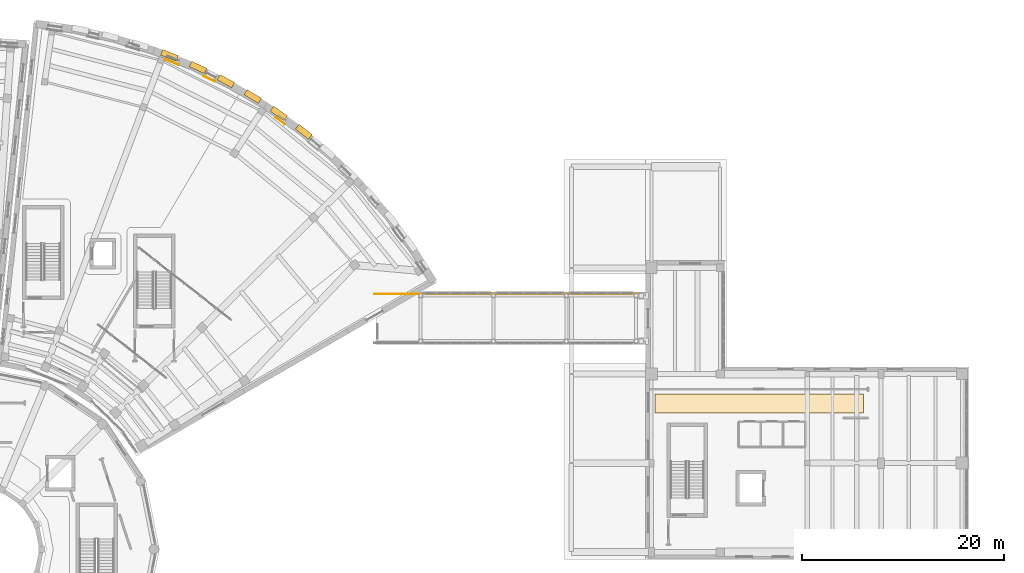
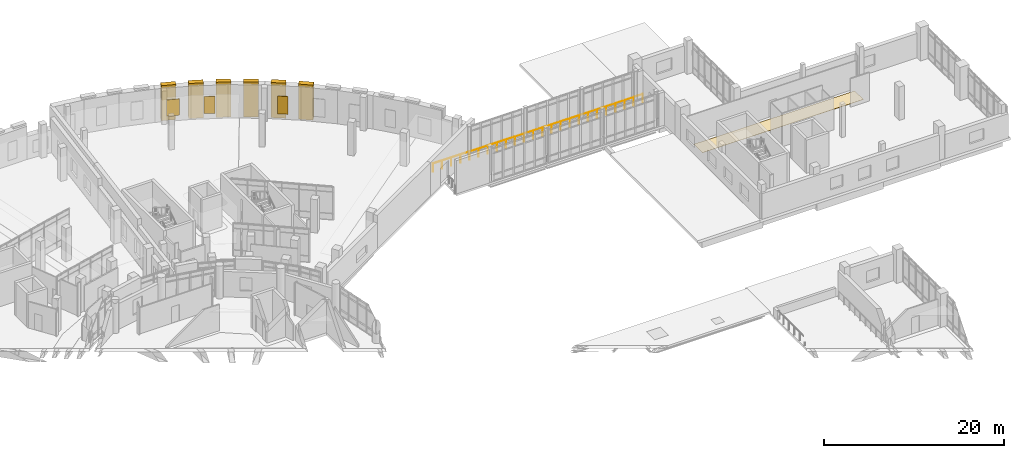
# One storey, part 73 of 75: 10 coverings, 1 railing.
"""IFC4 building model written with IfcOpenShell, lengths in metres."""

import ifcopenshell
import ifcopenshell.guid

model = None  # the IFC model being written
_history = None  # IfcOwnerHistory: only IFC2X3 demands one
_inside = {}  # id of a spatial element -> (the spatial element, [elements in it])
_under = {}  # id of a project, library or spatial element -> (it, [spatial elements below it])
_declared = {}  # id of a project -> (the project, [libraries it declares])
_typed = {}  # id of a type object -> (the type object, [elements of that type])
_made_of = {}  # id of a material, layer set ... -> (it, [elements and type objects made of it])


def new_model(schema):
    """Start an empty IFC model of exactly this schema.

    Asked for "IFC4X3", IfcOpenShell would pick the latest addendum, in which some entities
    have other attributes; the version numbers below select the first issue.
    IFC2X3 requires an IfcOwnerHistory on every rooted entity: one is made here for all.
    """
    global model, _history
    if schema == "IFC4X3":
        model = ifcopenshell.file(schema_version=(4, 3, 0, 0))
    else:
        model = ifcopenshell.file(schema=schema)
    _inside.clear()
    _under.clear()
    _declared.clear()
    _typed.clear()
    _made_of.clear()
    _history = None
    if model.schema == "IFC2X3":
        org = make("IfcOrganization", Name="unknown")
        user = make(
            "IfcPersonAndOrganization",
            ThePerson=make("IfcPerson", FamilyName="unknown"),
            TheOrganization=org,
        )
        app = make(
            "IfcApplication",
            ApplicationDeveloper=org,
            Version="unknown",
            ApplicationFullName="unknown",
            ApplicationIdentifier="unknown",
        )
        _history = make(
            "IfcOwnerHistory",
            OwningUser=user,
            OwningApplication=app,
            ChangeAction="ADDED",
            CreationDate=0,
        )
    return model


def make(cls, **values):
    """One entity of the class cls with the attributes given. An attribute that is None is left unset."""
    return model.create_entity(
        cls, **{name: value for name, value in values.items() if value is not None}
    )


def rooted(cls, **values):
    """An entity with a GlobalId (a new one), such as an element, a storey or a relation."""
    return make(cls, GlobalId=ifcopenshell.guid.new(), OwnerHistory=_history, **values)


def si_unit(unit_type, name, prefix=None):
    """IfcSIUnit, for example si_unit("LENGTHUNIT", "METRE", prefix="MILLI")."""
    return make("IfcSIUnit", UnitType=unit_type, Prefix=prefix, Name=name)


def assignment(units):
    """IfcUnitAssignment: the units of a project."""
    return None if units is None else make("IfcUnitAssignment", Units=units)


def point(xyz):
    """IfcCartesianPoint."""
    return None if xyz is None else make("IfcCartesianPoint", Coordinates=xyz)


def direction(xyz):
    """IfcDirection."""
    return None if xyz is None else make("IfcDirection", DirectionRatios=xyz)


def frame(location, z_axis=None, x_axis=None):
    """IfcAxis2Placement3D, a coordinate frame: its origin and axes. An axis left out is left unset."""
    return make(
        "IfcAxis2Placement3D",
        Location=point(location),
        Axis=direction(z_axis),
        RefDirection=direction(x_axis),
    )


def frame_2d(location, x_axis=None):
    """IfcAxis2Placement2D, a coordinate frame in the plane: its origin and x axis."""
    return make(
        "IfcAxis2Placement2D", Location=point(location), RefDirection=direction(x_axis)
    )


def origin():
    """The frame at (0, 0, 0) with its axes left unset."""
    return frame((0.0, 0.0, 0.0))


def origin_2d():
    """The frame at (0, 0) in the plane with its x axis left unset."""
    return frame_2d((0.0, 0.0))


def place(relative_to, where):
    """IfcLocalPlacement: puts the frame where relative to a parent placement (None: the world)."""
    return make(
        "IfcLocalPlacement", PlacementRelTo=relative_to, RelativePlacement=where
    )


def context(
    kind, dimensions, precision=None, world=None, true_north=None, identifier=None
):
    """IfcGeometricRepresentationContext, for example the 3D "Model" context."""
    return make(
        "IfcGeometricRepresentationContext",
        ContextIdentifier=identifier,
        ContextType=kind,
        CoordinateSpaceDimension=dimensions,
        Precision=precision,
        WorldCoordinateSystem=world,
        TrueNorth=true_north,
    )


def subcontext(parent, identifier, kind, view, scale=None):
    """IfcGeometricRepresentationSubContext, for example "Body" below "Model"."""
    return make(
        "IfcGeometricRepresentationSubContext",
        ContextIdentifier=identifier,
        ContextType=kind,
        ParentContext=parent,
        TargetScale=scale,
        TargetView=view,
    )


def project(units=None, contexts=None):
    """IfcProject with its units and contexts."""
    return rooted(
        "IfcProject",
        Name="project",
        RepresentationContexts=contexts,
        UnitsInContext=assignment(units),
    )


def spatial(cls, under=None, at=None, **own):
    """A site, building, storey or space (cls), placed at a placement, below another one or the project."""
    s = rooted(cls, ObjectPlacement=at, **own)
    if under is not None:
        _under.setdefault(under.id(), (under, []))[1].append(s)
    return s


def polyline(points):
    """IfcPolyline through the points."""
    return make("IfcPolyline", Points=[point(p) for p in points])


def profile(cls, at=None, kind="AREA", **sizes):
    """A parametric profile (cls). Its sizes go by their IFC names, for example OverallWidth=200.0."""
    return make(cls, ProfileType=kind, Position=at, **sizes)


def rectangle(**sizes):
    """IfcRectangleProfileDef."""
    return profile("IfcRectangleProfileDef", **sizes)


def circle(**sizes):
    """IfcCircleProfileDef."""
    return profile("IfcCircleProfileDef", **sizes)


def outline(outer, holes=None, kind="AREA"):
    """IfcArbitraryClosedProfileDef: a profile drawn as a closed curve; with holes, ...WithVoids."""
    if holes is None:
        return make("IfcArbitraryClosedProfileDef", ProfileType=kind, OuterCurve=outer)
    return make(
        "IfcArbitraryProfileDefWithVoids",
        ProfileType=kind,
        OuterCurve=outer,
        InnerCurves=holes,
    )


def extrude(swept, where, along, depth):
    """IfcExtrudedAreaSolid: the profile swept, set in the frame where, extruded along a direction by depth."""
    return make(
        "IfcExtrudedAreaSolid",
        SweptArea=swept,
        Position=where,
        ExtrudedDirection=direction(along),
        Depth=depth,
    )


def shape(context_of_items, identifier, shape_type, items):
    """IfcShapeRepresentation: the items that make up one representation, for example the "Body"."""
    return make(
        "IfcShapeRepresentation",
        ContextOfItems=context_of_items,
        RepresentationIdentifier=identifier,
        RepresentationType=shape_type,
        Items=items,
    )


def material(Name=None, Category=None):
    """IfcMaterial."""
    return make("IfcMaterial", Name=Name, Category=Category)


def layer(
    of_material, thickness, ventilated=None, Name=None, Category=None, Priority=None
):
    """IfcMaterialLayer: one layer of a wall or slab, of a material (None: an air gap)."""
    return make(
        "IfcMaterialLayer",
        Material=of_material,
        LayerThickness=thickness,
        IsVentilated=ventilated,
        Name=Name,
        Category=Category,
        Priority=Priority,
    )


def layer_set(layers, Name=None):
    """IfcMaterialLayerSet."""
    return make("IfcMaterialLayerSet", MaterialLayers=layers, LayerSetName=Name)


def made_of(thing, what):
    """Note that an element or type object is made of a material, layer set ...; save() writes the relation."""
    if what is not None:
        _made_of.setdefault(what.id(), (what, []))[1].append(thing)
    return thing


def type_object(cls, material=None, **own):
    """A type object (cls), such as IfcWallType, which elements share."""
    return made_of(rooted(cls, **own), material)


def element(
    cls,
    number,
    at=None,
    inside=None,
    cuts=None,
    type_object=None,
    material=None,
    context=None,
    identifier="Body",
    shape_type=None,
    held_by="IfcProductDefinitionShape",
    body=None,
    shapes=None,
    **own,
):
    """One element of the class cls, such as IfcWall. Its Tag is "e" and its number.

    at: its placement. inside: the storey or other place that contains it. cuts: it is an
    opening in that element (IfcRelVoidsElement). A single representation is given by context,
    identifier, shape_type and body (its items); several are given by shapes. held_by: the class
    of the entity that holds the representations. save() writes the other relations.
    """
    e = rooted(cls, Tag="e%d" % number, ObjectPlacement=at, **own)
    if body is not None:
        shapes = [shape(context, identifier, shape_type, body)]
    if shapes is not None:
        e.Representation = make(held_by, Representations=shapes)
    if inside is not None:
        _inside.setdefault(inside.id(), (inside, []))[1].append(e)
    if cuts is not None:
        rooted(
            "IfcRelVoidsElement", RelatingBuildingElement=cuts, RelatedOpeningElement=e
        )
    if type_object is not None:
        _typed.setdefault(type_object.id(), (type_object, []))[1].append(e)
    return made_of(e, material)


def aggregate(whole, parts):
    """IfcRelAggregates: a whole, such as a stair, and the parts it consists of."""
    return rooted("IfcRelAggregates", RelatingObject=whole, RelatedObjects=parts)


def save(model, path):
    """Write the relations noted so far, then the file.

    IfcRelAggregates (storeys below a building ...), IfcRelContainedInSpatialStructure (elements
    in a storey), IfcRelDefinesByType, IfcRelAssociatesMaterial and IfcRelDeclares: one each for
    every whole, place, type object, material and project.
    """
    for whole, parts in _under.values():
        aggregate(whole, parts)
    for where, things in _inside.values():
        rooted(
            "IfcRelContainedInSpatialStructure",
            RelatedElements=things,
            RelatingStructure=where,
        )
    for kind, things in _typed.values():
        rooted("IfcRelDefinesByType", RelatedObjects=things, RelatingType=kind)
    for what, things in _made_of.values():
        rooted("IfcRelAssociatesMaterial", RelatedObjects=things, RelatingMaterial=what)
    for by, libraries in _declared.values():
        rooted("IfcRelDeclares", RelatingContext=by, RelatedDefinitions=libraries)
    model.write(path)


model = new_model("IFC4")

# Units and contexts
model_context = context("Model", 3, precision=1e-05, world=origin(), true_north=direction((0.0, 1.0)))
body_context = subcontext(model_context, "Body", "Model", "MODEL_VIEW")
ifc_project = project(units=[si_unit("LENGTHUNIT", "METRE"), si_unit("AREAUNIT", "SQUARE_METRE"), si_unit("VOLUMEUNIT", "CUBIC_METRE"), si_unit("PLANEANGLEUNIT", "RADIAN"), si_unit("MASSUNIT", "GRAM", prefix="KILO")], contexts=[model_context])

# Site, building, storey
site_placement = place(None, origin())
site = spatial("IfcSite", under=ifc_project, at=site_placement, CompositionType="ELEMENT")
building_placement = place(site_placement, origin())
building = spatial("IfcBuilding", under=site, at=building_placement, Name="Soyqirgoq Riverine Aquarium", CompositionType="ELEMENT")
storey_placement = place(building_placement, frame((0.0, 0.0, 10.199951171875)))
storey = spatial("IfcBuildingStorey", under=building, at=storey_placement, Name="L03", CompositionType="ELEMENT", Elevation=10.199951171875)

# Coverings
ifc_material_1 = material(Name="Anodised extruded aluminium sunshade", Category="aluminium")
covering_type_1 = type_object("IfcCoveringType", Name="SolarShadingLouvre_450", PredefinedType="USERDEFINED", material=ifc_material_1)
covering_1_placement = place(storey_placement, frame((75.2021484375, 105.130615234375, 0.75), z_axis=(0.0, 0.0, 1.0), x_axis=(0.928809552872, -0.37055743751, 0.0)))
element("IfcCovering", 1, at=covering_1_placement, inside=storey, type_object=covering_type_1, Name="V5 L03 Travertine Niche Solar Shade 0088", ObjectType="SOLAR_SHADING", PredefinedType="USERDEFINED", context=body_context, shape_type="SweptSolid", body=[
    extrude(rectangle(XDim=1.43994140625, YDim=0.080078125, at=origin_2d()), origin(), (0.0, 0.0, 1.0), 2.199951171875),
])
covering_2_placement = place(storey_placement, frame((78.919189453125, 103.4755859375, 0.75), z_axis=(0.0, 0.0, 1.0), x_axis=(0.896872741533, -0.442288690219, 0.0)))
element("IfcCovering", 2, at=covering_2_placement, inside=storey, type_object=covering_type_1, Name="V5 L03 Travertine Niche Solar Shade 0089", ObjectType="SOLAR_SHADING", PredefinedType="USERDEFINED", context=body_context, shape_type="SweptSolid", body=[
    extrude(rectangle(XDim=1.239990234375, YDim=0.080078125, at=origin_2d()), origin(), (0.0, 0.0, 1.0), 2.300048828125),
])
covering_3_placement = place(storey_placement, frame((85.907470703125, 99.318115234375, 0.75), z_axis=(0.0, 0.0, 1.0), x_axis=(0.816641555162, -0.577145190037, 0.0)))
element("IfcCovering", 3, at=covering_3_placement, inside=storey, type_object=covering_type_1, Name="V5 L03 Travertine Niche Solar Shade 0090", ObjectType="SOLAR_SHADING", PredefinedType="USERDEFINED", context=body_context, shape_type="SweptSolid", body=[
    extrude(rectangle(XDim=1.139892578125, YDim=0.080078125, at=origin_2d()), origin(), (0.0, 0.0, 1.0), 2.39990234375),
])

# Railing
ifc_material_2 = material(Name="Laminated safety glass and stainless steel balustrade", Category="steel")
railing_type = type_object("IfcRailingType", Name="TerraceGuard_1150", PredefinedType="BALUSTRADE", material=ifc_material_2)
railing_placement = place(storey_placement, frame((95.25, 82.219970703125, 0.0)))
element("IfcRailing", 4, at=railing_placement, inside=storey, type_object=railing_type, Name="BR-2 Concourse Glazing Guardrail N", PredefinedType="BALUSTRADE", context=body_context, shape_type="SweptSolid", body=[
    extrude(circle(Radius=0.02392578125, at=origin_2d()), frame((0.0, 0.0, 1.1259765625), z_axis=(1.0, 0.0, 0.0), x_axis=(0.0, 1.0, 0.0)), (0.0, 0.0, 1.0), 26.85009765625),
    extrude(circle(Radius=0.02099609375, at=origin_2d()), origin(), (0.0, 0.0, 1.0), 1.101806640625),
    extrude(circle(Radius=0.02099609375, at=origin_2d()), frame((1.16748046875, 0.0, 0.0)), (0.0, 0.0, 1.0), 1.101806640625),
    extrude(circle(Radius=0.02099609375, at=origin_2d()), frame((2.334716796875, 0.0, 0.0)), (0.0, 0.0, 1.0), 1.101806640625),
    extrude(circle(Radius=0.02099609375, at=origin_2d()), frame((3.502197265625, 0.0, 0.0)), (0.0, 0.0, 1.0), 1.101806640625),
    extrude(circle(Radius=0.02099609375, at=origin_2d()), frame((4.669677734375, 0.0, 0.0)), (0.0, 0.0, 1.0), 1.101806640625),
    extrude(circle(Radius=0.02099609375, at=origin_2d()), frame((5.8369140625, 0.0, 0.0)), (0.0, 0.0, 1.0), 1.101806640625),
    extrude(circle(Radius=0.02099609375, at=origin_2d()), frame((7.00439453125, 0.0, 0.0)), (0.0, 0.0, 1.0), 1.101806640625),
    extrude(circle(Radius=0.02099609375, at=origin_2d()), frame((8.171875, 0.0, 0.0)), (0.0, 0.0, 1.0), 1.101806640625),
    extrude(circle(Radius=0.02099609375, at=origin_2d()), frame((9.339111328125, 0.0, 0.0)), (0.0, 0.0, 1.0), 1.101806640625),
    extrude(circle(Radius=0.02099609375, at=origin_2d()), frame((10.506591796875, 0.0, 0.0)), (0.0, 0.0, 1.0), 1.101806640625),
    extrude(circle(Radius=0.02099609375, at=origin_2d()), frame((11.674072265625, 0.0, 0.0)), (0.0, 0.0, 1.0), 1.101806640625),
    extrude(circle(Radius=0.02099609375, at=origin_2d()), frame((12.84130859375, 0.0, 0.0)), (0.0, 0.0, 1.0), 1.101806640625),
    extrude(circle(Radius=0.02099609375, at=origin_2d()), frame((14.0087890625, 0.0, 0.0)), (0.0, 0.0, 1.0), 1.101806640625),
    extrude(circle(Radius=0.02099609375, at=origin_2d()), frame((15.176025390625, 0.0, 0.0)), (0.0, 0.0, 1.0), 1.101806640625),
    extrude(circle(Radius=0.02099609375, at=origin_2d()), frame((16.343505859375, 0.0, 0.0)), (0.0, 0.0, 1.0), 1.101806640625),
    extrude(circle(Radius=0.02099609375, at=origin_2d()), frame((17.510986328125, 0.0, 0.0)), (0.0, 0.0, 1.0), 1.101806640625),
    extrude(circle(Radius=0.02099609375, at=origin_2d()), frame((18.67822265625, 0.0, 0.0)), (0.0, 0.0, 1.0), 1.101806640625),
    extrude(circle(Radius=0.02099609375, at=origin_2d()), frame((19.845703125, 0.0, 0.0)), (0.0, 0.0, 1.0), 1.101806640625),
    extrude(circle(Radius=0.02099609375, at=origin_2d()), frame((21.01318359375, 0.0, 0.0)), (0.0, 0.0, 1.0), 1.101806640625),
    extrude(circle(Radius=0.02099609375, at=origin_2d()), frame((22.180419921875, 0.0, 0.0)), (0.0, 0.0, 1.0), 1.101806640625),
    extrude(circle(Radius=0.02099609375, at=origin_2d()), frame((23.347900390625, 0.0, 0.0)), (0.0, 0.0, 1.0), 1.101806640625),
    extrude(circle(Radius=0.02099609375, at=origin_2d()), frame((24.515380859375, 0.0, 0.0)), (0.0, 0.0, 1.0), 1.101806640625),
    extrude(circle(Radius=0.02099609375, at=origin_2d()), frame((25.6826171875, 0.0, 0.0)), (0.0, 0.0, 1.0), 1.101806640625),
    extrude(circle(Radius=0.02099609375, at=origin_2d()), frame((26.85009765625, 0.0, 0.0)), (0.0, 0.0, 1.0), 1.101806640625),
])

# Coverings
ifc_material_3 = material(Name="Polished Chirchiq river-pebble terrazzo flooring", Category="concrete")
ifc_layer = layer(ifc_material_3, 0.030029296875)
ifc_layer_set = layer_set([ifc_layer], Name="Polished Chirchiq river-pebble terrazzo flooring")
covering_type_2 = type_object("IfcCoveringType", Name="TerrazzoFloorFinish_30", PredefinedType="FLOORING", material=ifc_layer_set)
covering_4_placement = place(storey_placement, origin())
element("IfcCovering", 5, at=covering_4_placement, inside=storey, type_object=covering_type_2, Name="Veterinary Bridge Foyer Corridor Floor Finish", PredefinedType="FLOORING", context=body_context, shape_type="SweptSolid", body=[
    extrude(outline(polyline([(122.949951171875, 70.449951171875), (122.949951171875, 72.35009765625), (143.550048828125, 72.35009765625), (143.550048828125, 70.449951171875), (122.949951171875, 70.449951171875)])), origin(), (0.0, 0.0, 1.0), 0.030029296875),
])
ifc_material_4 = material(Name="Honed Uzbek travertine limestone vertical niche pier", Category="masonry")
covering_type_3 = type_object("IfcCoveringType", Name="TravertineNichePier_550", PredefinedType="CLADDING", material=ifc_material_4)
for number, where, z_axis, x_axis, name in (
    (6, (88.251953125, 98.235107421875, 0.0), (0.0, 0.0, 1.0), (0.616073992379, 0.787688286008, 0.0), "V5 L03 Travertine Vertical Niche Pier 148"),
    (7, (85.784423828125, 100.05126953125, 0.0), (0.0, 0.0, 1.0), (0.568992506345, 0.82234270698, 0.0), "V5 L03 Travertine Vertical Niche Pier 149"),
    (8, (83.21484375, 101.719970703125, 0.0), (0.0, 0.0, 1.0), (0.519817342621, 0.854277431699, 0.0), "V5 L03 Travertine Vertical Niche Pier 150"),
    (9, (80.552001953125, 103.235595703125, 0.0), (0.0, 0.0, 1.0), (0.469009188174, 0.883193286551, 0.0), "V5 L03 Travertine Vertical Niche Pier 151"),
    (10, (77.80517578125, 104.5927734375, 0.0), (0.0, 0.0, 1.0), (0.416598150168, 0.909090744247, 0.0), "V5 L03 Travertine Vertical Niche Pier 152"),
    (11, (74.9833984375, 105.786865234375, 0.0), (0.0, 0.0, 1.0), (0.362600698822, 0.931944597717, 0.0), "V5 L03 Travertine Vertical Niche Pier 153"),
):
    element("IfcCovering", number, at=place(storey_placement, frame(where, z_axis=z_axis, x_axis=x_axis)), inside=storey, type_object=covering_type_3, Name=name, PredefinedType="CLADDING", context=body_context, shape_type="SweptSolid", body=[
        extrude(rectangle(XDim=0.60009765625, YDim=1.64990234375, at=origin_2d()), origin(), (0.0, 0.0, 1.0), 4.75),
    ])

save(model, "model.ifc")
